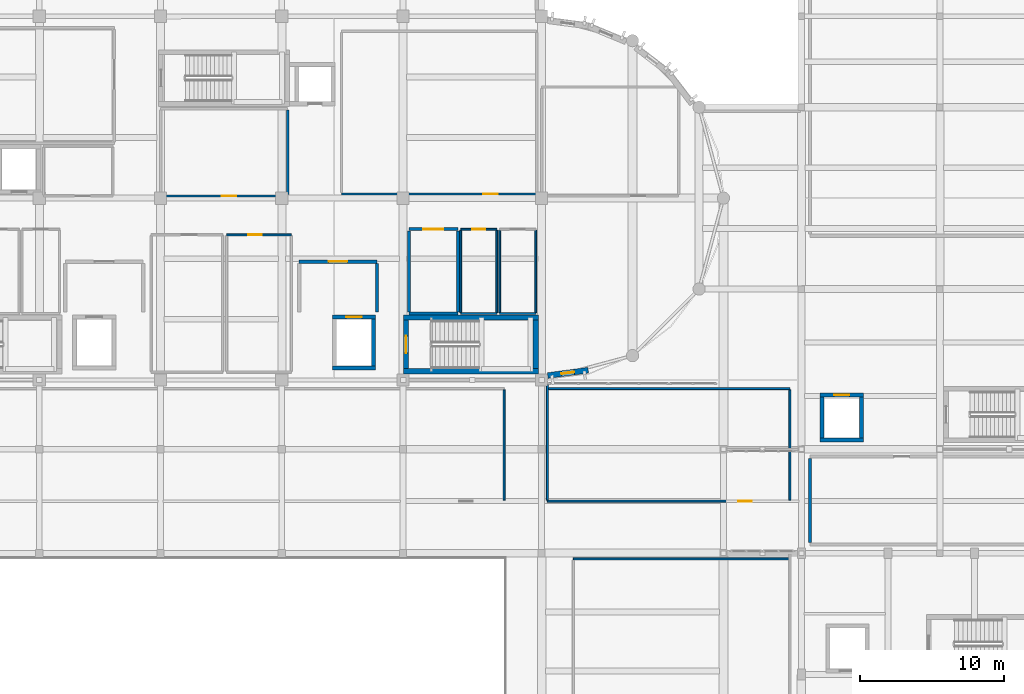
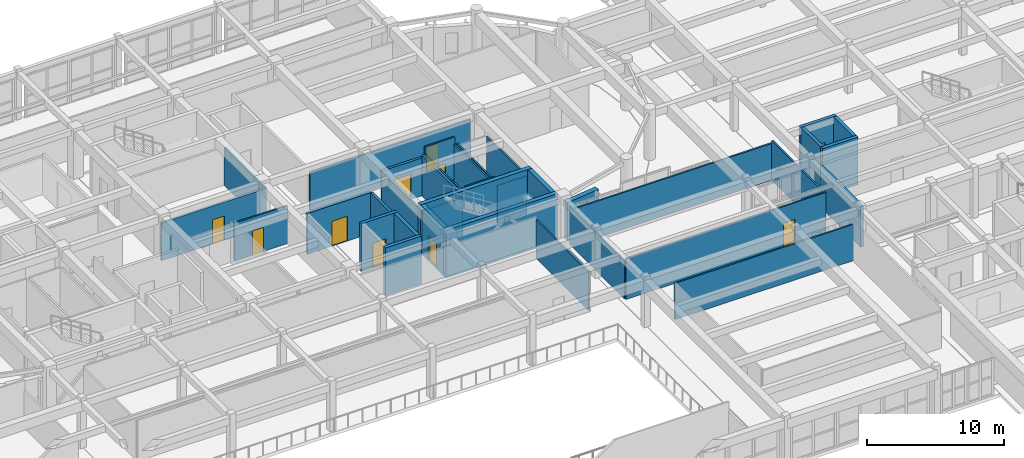
# One storey, part 70 of 92: 36 walls, 10 doors, 1 window, 11 openings.
"""IFC4 building model written with IfcOpenShell, lengths in metres."""

from ifc_helpers import new_model, si_unit, direction, frame, frame_2d, origin, place, context, subcontext, project, spatial, rectangle, extrude, material, layer, layer_set, type_object, element, fill, save


model = new_model("IFC4")

# Units and contexts
model_context = context("Model", 3, precision=1e-05, world=origin(), true_north=direction((0.0, 1.0)))
body_context = subcontext(model_context, "Body", "Model", "MODEL_VIEW")
ifc_project = project(units=[si_unit("LENGTHUNIT", "METRE"), si_unit("AREAUNIT", "SQUARE_METRE"), si_unit("VOLUMEUNIT", "CUBIC_METRE"), si_unit("PLANEANGLEUNIT", "RADIAN"), si_unit("MASSUNIT", "GRAM", prefix="KILO")], contexts=[model_context])

# Site, building, storey
site_placement = place(None, origin())
site = spatial("IfcSite", under=ifc_project, at=site_placement, CompositionType="ELEMENT")
building_placement = place(site_placement, origin())
building = spatial("IfcBuilding", under=site, at=building_placement, Name="Tarnavel Promenade Courthouse", CompositionType="ELEMENT")
storey_placement = place(building_placement, frame((0.0, 0.0, 5.39990234375)))
storey = spatial("IfcBuildingStorey", under=building, at=storey_placement, Name="L02", CompositionType="ELEMENT", Elevation=5.39990234375)

# Wall, opening, door
ifc_material_1 = material(Name="Acoustic Insulated Gypsum Stud Partition", Category="gypsum")
ifc_layer_1 = layer(ifc_material_1, 0.1650390625)
ifc_layer_set_1 = layer_set([ifc_layer_1], Name="Acoustic Insulated Gypsum Stud Partition")
wall_type_1 = type_object("IfcWallType", Name="Acoustic Insulated Gypsum Stud Partition WL-CHM-165 (165 mm)", PredefinedType="PARTITIONING", material=ifc_layer_set_1)
wall_1_placement = place(storey_placement, frame((84.39990234375, 91.949951171875, 0.0), z_axis=(0.0, 0.0, 1.0), x_axis=(-1.0, 0.0, 0.0)))
wall_1 = element("IfcWall", 1, at=wall_1_placement, inside=storey, type_object=wall_type_1, Name="L02 L02 Judicial Panel Deliberation Salon Partition 0379", PredefinedType="PARTITIONING", context=body_context, shape_type="SweptSolid", body=[
    extrude(rectangle(XDim=8.7998046875, YDim=0.1650390625, at=frame_2d((4.39990234375, 0.0))), origin(), (0.0, 0.0, 1.0), 3.3701171875),
])
opening_1_placement = place(wall_1_placement, frame((3.544921875, 0.0, 0.0)))
opening_1 = element("IfcOpeningElement", 2, at=opening_1_placement, cuts=wall_1, Name="Opening ID-03", PredefinedType="OPENING", context=body_context, shape_type="SweptSolid", body=[
    extrude(rectangle(XDim=1.0, YDim=2.14990234375, at=frame_2d((0.5, 1.074951171875))), frame((0.0, 0.092529296875, 0.0), z_axis=(0.0, -1.0, 0.0), x_axis=(1.0, 0.0, 0.0)), (0.0, 0.0, 1.0), 0.18505859375),
])
ifc_material_2 = material(Name="Acoustic Solid-Core Oak Jury Room Door")
door_type_1 = type_object("IfcDoorType", Name="Acoustic Solid-Core Oak Jury Room Door (DR-JRY-1000x2150)", OperationType="NOTDEFINED", PredefinedType="DOOR", material=ifc_material_2)
door_1_placement = place(opening_1_placement, origin())
door_1 = element("IfcDoor", 3, at=door_1_placement, inside=storey, type_object=door_type_1, Name="L02 L02 Judicial Panel Deliberation Salon Door 0109", OperationType="SINGLE_SWING_LEFT", OverallHeight=2.14990234375, OverallWidth=1.0, PredefinedType="DOOR", context=body_context, shape_type="SweptSolid", body=[
    extrude(rectangle(XDim=1.0, YDim=2.14990234375, at=frame_2d((0.5, 1.074951171875))), frame((0.0, 0.02490234375, 0.0), z_axis=(0.0, -1.0, 0.0), x_axis=(1.0, 0.0, 0.0)), (0.0, 0.0, 1.0), 0.050048828125),
])
fill(opening_1, door_1)

# Wall
wall_2_placement = place(storey_placement, frame((84.39990234375, 97.907470703125, 0.0), z_axis=(0.0, 0.0, 1.0), x_axis=(0.0, -1.0, 0.0)))
element("IfcWall", 4, at=wall_2_placement, inside=storey, type_object=wall_type_1, Name="L02 L02 Judicial Panel Deliberation Salon Partition 0381", PredefinedType="PARTITIONING", context=body_context, shape_type="SweptSolid", body=[
    extrude(rectangle(XDim=5.864990234375, YDim=0.1650390625, at=frame_2d((2.9326171875, 0.0))), origin(), (0.0, 0.0, 1.0), 3.3701171875),
])

# Wall, opening, door
wall_3_placement = place(storey_placement, frame((101.659912109375, 92.090087890625, 0.0), z_axis=(0.0, 0.0, 1.0), x_axis=(-1.0, 0.0, 0.0)))
wall_3 = element("IfcWall", 5, at=wall_3_placement, inside=storey, type_object=wall_type_1, Name="L02 Jury Room Central East Partition 0383", PredefinedType="PARTITIONING", context=body_context, shape_type="SweptSolid", body=[
    extrude(rectangle(XDim=13.52001953125, YDim=0.1650390625, at=frame_2d((6.760009765625, 0.0))), origin(), (0.0, 0.0, 1.0), 3.3701171875),
])
opening_2_placement = place(wall_3_placement, frame((2.714111328125, 0.0, 0.0)))
opening_2 = element("IfcOpeningElement", 6, at=opening_2_placement, cuts=wall_3, Name="Opening ID-03", PredefinedType="OPENING", context=body_context, shape_type="SweptSolid", body=[
    extrude(rectangle(XDim=1.0, YDim=2.14990234375, at=frame_2d((0.5, 1.074951171875))), frame((0.0, 0.092529296875, 0.0), z_axis=(0.0, -1.0, 0.0), x_axis=(1.0, 0.0, 0.0)), (0.0, 0.0, 1.0), 0.18505859375),
])
door_2_placement = place(opening_2_placement, origin())
door_2 = element("IfcDoor", 7, at=door_2_placement, inside=storey, type_object=door_type_1, Name="L02 Jury Room Central East Door 0110", OperationType="SINGLE_SWING_RIGHT", OverallHeight=2.14990234375, OverallWidth=1.0, PredefinedType="DOOR", context=body_context, shape_type="SweptSolid", body=[
    extrude(rectangle(XDim=1.0, YDim=2.14990234375, at=frame_2d((0.5, 1.074951171875))), frame((0.0, 0.02490234375, 0.0), z_axis=(0.0, -1.0, 0.0), x_axis=(1.0, 0.0, 0.0)), (0.0, 0.0, 1.0), 0.050048828125),
])
fill(opening_2, door_2)

ifc_material_3 = material(Name="Concrete C40/50", Category="concrete")
ifc_layer_2 = layer(ifc_material_3, 0.280029296875)
ifc_layer_set_2 = layer_set([ifc_layer_2], Name="Concrete C40/50")
wall_type_2 = type_object("IfcWallType", Name="Concrete C40/50 WL-SHR-280 (280 mm)", PredefinedType="SHEAR", material=ifc_layer_set_2)
wall_4_placement = place(storey_placement, frame((87.5, 83.56005859375, 0.0), z_axis=(0.0, 0.0, 1.0), x_axis=(1.0, 0.0, 0.0)))
wall_4 = element("IfcWall", 8, at=wall_4_placement, inside=storey, type_object=wall_type_2, Name="L02 L-FF2 Lift Shaft North Wall", PredefinedType="SHEAR", context=body_context, shape_type="SweptSolid", body=[
    extrude(rectangle(XDim=3.0, YDim=0.280029296875, at=frame_2d((1.5, 0.0))), origin(), (0.0, 0.0, 1.0), 4.239990234375),
])
opening_3_placement = place(wall_4_placement, frame((0.949951171875, 0.0, 0.0)))
opening_3 = element("IfcOpeningElement", 9, at=opening_3_placement, cuts=wall_4, Name="Opening LD-01", PredefinedType="OPENING", context=body_context, shape_type="SweptSolid", body=[
    extrude(rectangle(XDim=1.10009765625, YDim=2.199951171875, at=frame_2d((0.550048828125, 1.10009765625))), frame((0.0, 0.14990234375, 0.0), z_axis=(0.0, -1.0, 0.0), x_axis=(1.0, 0.0, 0.0)), (0.0, 0.0, 1.0), 0.300048828125),
])
ifc_material_4 = material(Name="Stainless Steel Firefighting Lift Landing Sliding Door", Category="steel")
door_type_2 = type_object("IfcDoorType", Name="Stainless Steel Firefighting Lift Landing Sliding Door (LD-FF-1100x2200)", OperationType="NOTDEFINED", PredefinedType="DOOR", material=ifc_material_4)
door_3_placement = place(opening_3_placement, origin())
door_3 = element("IfcDoor", 10, at=door_3_placement, inside=storey, type_object=door_type_2, Name="L02 L-FF2 Lift Sliding Landing Door", OperationType="DOUBLE_DOOR_SLIDING", OverallHeight=2.199951171875, OverallWidth=1.10009765625, PredefinedType="DOOR", context=body_context, shape_type="SweptSolid", body=[
    extrude(rectangle(XDim=1.10009765625, YDim=2.199951171875, at=frame_2d((0.550048828125, 1.10009765625))), frame((0.0, 0.02490234375, 0.0), z_axis=(0.0, -1.0, 0.0), x_axis=(1.0, 0.0, 0.0)), (0.0, 0.0, 1.0), 0.050048828125),
])
fill(opening_3, door_3)

# Walls
wall_5_placement = place(storey_placement, frame((90.5, 80.0400390625, 0.0), z_axis=(0.0, 0.0, 1.0), x_axis=(-1.0, 0.0, 0.0)))
element("IfcWall", 11, at=wall_5_placement, inside=storey, type_object=wall_type_2, Name="L02 L-FF2 Lift Shaft South Wall", PredefinedType="SHEAR", context=body_context, shape_type="SweptSolid", body=[
    extrude(rectangle(XDim=3.0, YDim=0.280029296875, at=frame_2d((1.5, 0.0))), origin(), (0.0, 0.0, 1.0), 4.239990234375),
])
wall_6_placement = place(storey_placement, frame((90.360107421875, 83.419921875, 0.0), z_axis=(0.0, 0.0, 1.0), x_axis=(0.0, -1.0, 0.0)))
element("IfcWall", 12, at=wall_6_placement, inside=storey, type_object=wall_type_2, Name="L02 L-FF2 Lift Shaft East Wall", PredefinedType="SHEAR", context=body_context, shape_type="SweptSolid", body=[
    extrude(rectangle(XDim=3.239990234375, YDim=0.280029296875, at=frame_2d((1.6201171875, 0.0))), origin(), (0.0, 0.0, 1.0), 4.239990234375),
])

# Wall, opening, door
wall_7_placement = place(storey_placement, frame((121.300048828125, 78.159912109375, 0.0), z_axis=(0.0, 0.0, 1.0), x_axis=(1.0, 0.0, 0.0)))
wall_7 = element("IfcWall", 13, at=wall_7_placement, inside=storey, type_object=wall_type_2, Name="L02 L-CUS1 Lift Shaft North Wall", PredefinedType="SHEAR", context=body_context, shape_type="SweptSolid", body=[
    extrude(rectangle(XDim=3.0, YDim=0.280029296875, at=frame_2d((1.5, 0.0))), origin(), (0.0, 0.0, 1.0), 4.239990234375),
])
opening_4_placement = place(wall_7_placement, frame((0.97509765625, 0.0, 0.0)))
opening_4 = element("IfcOpeningElement", 14, at=opening_4_placement, cuts=wall_7, Name="Opening LD-02", PredefinedType="OPENING", context=body_context, shape_type="SweptSolid", body=[
    extrude(rectangle(XDim=1.050048828125, YDim=2.199951171875, at=frame_2d((0.52490234375, 1.10009765625))), frame((0.0, 0.14990234375, 0.0), z_axis=(0.0, -1.0, 0.0), x_axis=(1.0, 0.0, 0.0)), (0.0, 0.0, 1.0), 0.300048828125),
])
ifc_material_5 = material(Name="Brushed Bronze Passenger Lift Landing Sliding Door")
door_type_3 = type_object("IfcDoorType", Name="Brushed Bronze Passenger Lift Landing Sliding Door (LD-PUB-1050x2200)", OperationType="NOTDEFINED", PredefinedType="DOOR", material=ifc_material_5)
door_4_placement = place(opening_4_placement, origin())
door_4 = element("IfcDoor", 15, at=door_4_placement, inside=storey, type_object=door_type_3, Name="L02 L-CUS1 Lift Sliding Landing Door", OperationType="DOUBLE_DOOR_SLIDING", OverallHeight=2.199951171875, OverallWidth=1.050048828125, PredefinedType="DOOR", context=body_context, shape_type="SweptSolid", body=[
    extrude(rectangle(XDim=1.050048828125, YDim=2.199951171875, at=frame_2d((0.52490234375, 1.10009765625))), frame((0.0, 0.02490234375, 0.0), z_axis=(0.0, -1.0, 0.0), x_axis=(1.0, 0.0, 0.0)), (0.0, 0.0, 1.0), 0.050048828125),
])
fill(opening_4, door_4)

# Walls
wall_8_placement = place(storey_placement, frame((124.300048828125, 75.0400390625, 0.0), z_axis=(0.0, 0.0, 1.0), x_axis=(-1.0, 0.0, 0.0)))
element("IfcWall", 16, at=wall_8_placement, inside=storey, type_object=wall_type_2, Name="L02 L-CUS1 Lift Shaft South Wall", PredefinedType="SHEAR", context=body_context, shape_type="SweptSolid", body=[
    extrude(rectangle(XDim=3.0, YDim=0.280029296875, at=frame_2d((1.5, 0.0))), origin(), (0.0, 0.0, 1.0), 4.239990234375),
])
for number, where, z_axis, x_axis, name in (
    (17, (121.43994140625, 75.179931640625, 0.0), (0.0, 0.0, 1.0), (0.0, 1.0, 0.0), "L02 L-CUS1 Lift Shaft West Wall"),
    (18, (124.159912109375, 78.02001953125, 0.0), (0.0, 0.0, 1.0), (0.0, -1.0, 0.0), "L02 L-CUS1 Lift Shaft East Wall"),
):
    element("IfcWall", number, at=place(storey_placement, frame(where, z_axis=z_axis, x_axis=x_axis)), inside=storey, type_object=wall_type_2, Name=name, PredefinedType="SHEAR", context=body_context, shape_type="SweptSolid", body=[
        extrude(rectangle(XDim=2.840087890625, YDim=0.280029296875, at=frame_2d((1.419921875, 0.0))), origin(), (0.0, 0.0, 1.0), 4.239990234375),
    ])
ifc_layer_3 = layer(ifc_material_3, 0.360107421875)
ifc_layer_set_3 = layer_set([ifc_layer_3], Name="Concrete C40/50")
wall_type_3 = type_object("IfcWallType", Name="Concrete C40/50 WL-SHR-360 (360 mm)", PredefinedType="SHEAR", material=ifc_layer_set_3)
for number, where, z_axis, x_axis, name in (
    (19, (92.419921875, 83.52001953125, 0.0), (0.0, 0.0, 1.0), (1.0, 0.0, 0.0), "L02 ST-02 Shear Core North Wall"),
    (20, (101.780029296875, 79.800048828125, 0.0), (0.0, 0.0, 1.0), (-1.0, 0.0, 0.0), "L02 ST-02 Shear Core South Wall"),
):
    element("IfcWall", number, at=place(storey_placement, frame(where, z_axis=z_axis, x_axis=x_axis)), inside=storey, type_object=wall_type_3, Name=name, PredefinedType="SHEAR", context=body_context, shape_type="SweptSolid", body=[
        extrude(rectangle(XDim=9.360107421875, YDim=0.360107421875, at=frame_2d((4.68017578125, 0.0))), origin(), (0.0, 0.0, 1.0), 4.239990234375),
    ])

# Wall, opening, door
wall_9_placement = place(storey_placement, frame((92.60009765625, 79.97998046875, 0.0), z_axis=(0.0, 0.0, 1.0), x_axis=(0.0, 1.0, 0.0)))
wall_9 = element("IfcWall", 21, at=wall_9_placement, inside=storey, type_object=wall_type_3, Name="L02 ST-02 Shear Core West Landing Wall", PredefinedType="SHEAR", context=body_context, shape_type="SweptSolid", body=[
    extrude(rectangle(XDim=3.360107421875, YDim=0.360107421875, at=frame_2d((1.68017578125, 0.0))), origin(), (0.0, 0.0, 1.0), 4.239990234375),
])
opening_5_placement = place(wall_9_placement, frame((1.080078125, 0.0, 0.0)))
opening_5 = element("IfcOpeningElement", 22, at=opening_5_placement, cuts=wall_9, Name="Opening FD-02", PredefinedType="OPENING", context=body_context, shape_type="SweptSolid", body=[
    extrude(rectangle(XDim=1.199951171875, YDim=2.199951171875, at=frame_2d((0.60009765625, 1.10009765625))), frame((0.0, 0.18994140625, 0.0), z_axis=(0.0, -1.0, 0.0), x_axis=(1.0, 0.0, 0.0)), (0.0, 0.0, 1.0), 0.380126953125),
])
ifc_material_6 = material(Name="Steel Fire-Rated Firefighting Stair Door", Category="steel")
door_type_4 = type_object("IfcDoorType", Name="Steel Fire-Rated Firefighting Stair Door (DR-ST-1200x2200)", OperationType="NOTDEFINED", PredefinedType="DOOR", material=ifc_material_6)
door_5_placement = place(opening_5_placement, origin())
door_5 = element("IfcDoor", 23, at=door_5_placement, inside=storey, type_object=door_type_4, Name="L02 ST-02 Protected Exit Stair Door", OperationType="SINGLE_SWING_RIGHT", OverallHeight=2.199951171875, OverallWidth=1.199951171875, PredefinedType="DOOR", context=body_context, shape_type="SweptSolid", body=[
    extrude(rectangle(XDim=1.199951171875, YDim=2.199951171875, at=frame_2d((0.60009765625, 1.10009765625))), frame((0.0, 0.02490234375, 0.0), z_axis=(0.0, -1.0, 0.0), x_axis=(1.0, 0.0, 0.0)), (0.0, 0.0, 1.0), 0.050048828125),
])
fill(opening_5, door_5)

# Wall
wall_10_placement = place(storey_placement, frame((101.60009765625, 83.340087890625, 0.0), z_axis=(0.0, 0.0, 1.0), x_axis=(0.0, -1.0, 0.0)))
element("IfcWall", 24, at=wall_10_placement, inside=storey, type_object=wall_type_3, Name="L02 ST-02 Shear Core East Wall", PredefinedType="SHEAR", context=body_context, shape_type="SweptSolid", body=[
    extrude(rectangle(XDim=3.360107421875, YDim=0.360107421875, at=frame_2d((1.68017578125, 0.0))), origin(), (0.0, 0.0, 1.0), 4.239990234375),
])

# Wall, opening, door
ifc_material_7 = material(Name="Concrete Masonry Fire Compartment Wall", Category="masonry")
ifc_layer_4 = layer(ifc_material_7, 0.205078125)
ifc_layer_set_4 = layer_set([ifc_layer_4], Name="Concrete Masonry Fire Compartment Wall")
wall_type_4 = type_object("IfcWallType", Name="Concrete Masonry Fire Compartment Wall WL-CMP-205 (205 mm)", PredefinedType="STANDARD", material=ifc_layer_set_4)
wall_11_placement = place(storey_placement, frame((92.800048828125, 89.64990234375, 0.0), z_axis=(0.0, 0.0, 1.0), x_axis=(1.0, 0.0, 0.0)))
wall_11 = element("IfcWall", 25, at=wall_11_placement, inside=storey, type_object=wall_type_4, Name="L02 L02 Court Transcript Records Room Partition 0274", PredefinedType="STANDARD", context=body_context, shape_type="SweptSolid", body=[
    extrude(rectangle(XDim=3.39990234375, YDim=0.205078125, at=frame_2d((1.699951171875, 0.0))), origin(), (0.0, 0.0, 1.0), 3.3701171875),
])
opening_6_placement = place(wall_11_placement, frame((1.0, 0.0, 0.0)))
opening_6 = element("IfcOpeningElement", 26, at=opening_6_placement, cuts=wall_11, Name="Opening FD-04", PredefinedType="OPENING", context=body_context, shape_type="SweptSolid", body=[
    extrude(rectangle(XDim=1.39990234375, YDim=2.25, at=frame_2d((0.699951171875, 1.125))), frame((0.0, 0.112548828125, 0.0), z_axis=(0.0, -1.0, 0.0), x_axis=(1.0, 0.0, 0.0)), (0.0, 0.0, 1.0), 0.22509765625),
])
ifc_material_8 = material(Name="Heavy Steel Plant Room Fire Door", Category="steel")
door_type_5 = type_object("IfcDoorType", Name="Heavy Steel Plant Room Fire Door (DR-PLT-1400x2250)", OperationType="NOTDEFINED", PredefinedType="DOOR", material=ifc_material_8)
door_6_placement = place(opening_6_placement, origin())
door_6 = element("IfcDoor", 27, at=door_6_placement, inside=storey, type_object=door_type_5, Name="L02 L02 Court Transcript Records Room Door 0078", OperationType="SINGLE_SWING_RIGHT", OverallHeight=2.25, OverallWidth=1.39990234375, PredefinedType="DOOR", context=body_context, shape_type="SweptSolid", body=[
    extrude(rectangle(XDim=1.39990234375, YDim=2.25, at=frame_2d((0.699951171875, 1.125))), frame((0.0, 0.02490234375, 0.0), z_axis=(0.0, -1.0, 0.0), x_axis=(1.0, 0.0, 0.0)), (0.0, 0.0, 1.0), 0.050048828125),
])
fill(opening_6, door_6)

# Walls
wall_12_placement = place(storey_placement, frame((96.199951171875, 83.800048828125, 0.0), z_axis=(0.0, 0.0, 1.0), x_axis=(-1.0, 0.0, 0.0)))
element("IfcWall", 28, at=wall_12_placement, inside=storey, type_object=wall_type_4, Name="L02 L02 Court Transcript Records Room Partition 0275", PredefinedType="STANDARD", context=body_context, shape_type="SweptSolid", body=[
    extrude(rectangle(XDim=3.39990234375, YDim=0.205078125, at=frame_2d((1.699951171875, 0.0))), origin(), (0.0, 0.0, 1.0), 3.3701171875),
])
wall_13_placement = place(storey_placement, frame((92.800048828125, 83.91259765625, 0.0), z_axis=(0.0, 0.0, 1.0), x_axis=(0.0, 1.0, 0.0)))
element("IfcWall", 29, at=wall_13_placement, inside=storey, type_object=wall_type_4, Name="L02 L02 Court Transcript Records Room Partition 0276", PredefinedType="STANDARD", context=body_context, shape_type="SweptSolid", body=[
    extrude(rectangle(XDim=5.625, YDim=0.205078125, at=frame_2d((2.8125, 0.0))), origin(), (0.0, 0.0, 1.0), 3.3701171875),
])
wall_14_placement = place(storey_placement, frame((96.199951171875, 89.53759765625, 0.0), z_axis=(0.0, 0.0, 1.0), x_axis=(0.0, -1.0, 0.0)))
element("IfcWall", 30, at=wall_14_placement, inside=storey, type_object=wall_type_4, Name="L02 L02 Court Transcript Records Room Partition 0277", PredefinedType="STANDARD", context=body_context, shape_type="SweptSolid", body=[
    extrude(rectangle(XDim=5.625, YDim=0.205078125, at=frame_2d((2.8125, 0.0))), origin(), (0.0, 0.0, 1.0), 3.6201171875),
])

# Wall, opening, door
ifc_layer_5 = layer(ifc_material_7, 0.22998046875)
ifc_layer_set_5 = layer_set([ifc_layer_5], Name="Concrete Masonry Fire Compartment Wall")
wall_type_5 = type_object("IfcWallType", Name="Concrete Masonry Fire Compartment Wall WL-CMP-230 (230 mm)", PredefinedType="STANDARD", material=ifc_layer_set_5)
wall_15_placement = place(storey_placement, frame((85.199951171875, 87.39990234375, 0.0), z_axis=(0.0, 0.0, 1.0), x_axis=(1.0, 0.0, 0.0)))
wall_15 = element("IfcWall", 31, at=wall_15_placement, inside=storey, type_object=wall_type_5, Name="L02 Firefighting Lobby L-FF2 Partition 0251", PredefinedType="STANDARD", context=body_context, shape_type="SweptSolid", body=[
    extrude(rectangle(XDim=5.400146484375, YDim=0.22998046875, at=frame_2d((2.7001953125, 0.0))), origin(), (0.0, 0.0, 1.0), 3.6201171875),
])
opening_7_placement = place(wall_15_placement, frame((2.050048828125, 0.0, 0.0)))
opening_7 = element("IfcOpeningElement", 32, at=opening_7_placement, cuts=wall_15, Name="Opening FD-03", PredefinedType="OPENING", context=body_context, shape_type="SweptSolid", body=[
    extrude(rectangle(XDim=1.300048828125, YDim=2.199951171875, at=frame_2d((0.64990234375, 1.10009765625))), frame((0.0, 0.125, 0.0), z_axis=(0.0, -1.0, 0.0), x_axis=(1.0, 0.0, 0.0)), (0.0, 0.0, 1.0), 0.25),
])
ifc_material_9 = material(Name="Smoke-Sealed Firefighting Lobby Fire Door")
door_type_6 = type_object("IfcDoorType", Name="Smoke-Sealed Firefighting Lobby Fire Door (DR-FFL-1300x2200)", OperationType="NOTDEFINED", PredefinedType="DOOR", material=ifc_material_9)
door_7_placement = place(opening_7_placement, origin())
door_7 = element("IfcDoor", 33, at=door_7_placement, inside=storey, type_object=door_type_6, Name="L02 Firefighting Lobby L-FF2 Door 0072", OperationType="SINGLE_SWING_RIGHT", OverallHeight=2.199951171875, OverallWidth=1.300048828125, PredefinedType="DOOR", context=body_context, shape_type="SweptSolid", body=[
    extrude(rectangle(XDim=1.300048828125, YDim=2.199951171875, at=frame_2d((0.64990234375, 1.10009765625))), frame((0.0, 0.02490234375, 0.0), z_axis=(0.0, -1.0, 0.0), x_axis=(1.0, 0.0, 0.0)), (0.0, 0.0, 1.0), 0.050048828125),
])
fill(opening_7, door_7)

# Walls
wall_16_placement = place(storey_placement, frame((90.60009765625, 87.27490234375, 0.0), z_axis=(0.0, 0.0, 1.0), x_axis=(0.0, -1.0, 0.0)))
element("IfcWall", 34, at=wall_16_placement, inside=storey, type_object=wall_type_5, Name="L02 Firefighting Lobby L-FF2 Partition 0253", PredefinedType="STANDARD", context=body_context, shape_type="SweptSolid", body=[
    extrude(rectangle(XDim=3.349853515625, YDim=0.22998046875, at=frame_2d((1.6748046875, 0.0))), origin(), (0.0, 0.0, 1.0), 3.6201171875),
])
wall_17_placement = place(storey_placement, frame((120.60009765625, 67.925048828125, 0.0), z_axis=(0.0, 0.0, 1.0), x_axis=(0.0, 1.0, 0.0)))
element("IfcWall", 35, at=wall_17_placement, inside=storey, type_object=wall_type_5, Name="L02 Custody Suite Juvenile Separated Holding Suite Partition 0363", PredefinedType="STANDARD", context=body_context, shape_type="SweptSolid", body=[
    extrude(rectangle(XDim=5.849853515625, YDim=0.22998046875, at=frame_2d((2.9248046875, 0.0))), origin(), (0.0, 0.0, 1.0), 3.670166015625),
])
ifc_material_10 = material(Name="Metal-Stud Acoustic Gypsum Partition", Category="gypsum")
ifc_layer_6 = layer(ifc_material_10, 0.135009765625)
ifc_layer_set_6 = layer_set([ifc_layer_6], Name="Metal-Stud Acoustic Gypsum Partition")
wall_type_6 = type_object("IfcWallType", Name="Metal-Stud Acoustic Gypsum Partition WL-OFF-135 (135 mm)", PredefinedType="PARTITIONING", material=ifc_layer_set_6)
wall_18_placement = place(storey_placement, frame((99.39990234375, 78.5224609375, 0.0), z_axis=(0.0, 0.0, 1.0), x_axis=(0.0, -1.0, 0.0)))
element("IfcWall", 36, at=wall_18_placement, inside=storey, type_object=wall_type_6, Name="L02 First Balcony Appellate Case Docket Registry Partition 0337", PredefinedType="PARTITIONING", context=body_context, shape_type="SweptSolid", body=[
    extrude(rectangle(XDim=7.64501953125, YDim=0.135009765625, at=frame_2d((3.822509765625, 0.0))), origin(), (0.0, 0.0, 1.0), 3.43017578125),
])
wall_19_placement = place(storey_placement, frame((104.199951171875, 66.800048828125, 0.0), z_axis=(0.0, 0.0, 1.0), x_axis=(1.0, 0.0, 0.0)))
element("IfcWall", 37, at=wall_19_placement, inside=storey, type_object=wall_type_6, Name="L02 First Balcony Judicial Press and Public Records Room Partition 0342", PredefinedType="PARTITIONING", context=body_context, shape_type="SweptSolid", body=[
    extrude(rectangle(XDim=15.0, YDim=0.135009765625, at=frame_2d((7.5, 0.0))), origin(), (0.0, 0.0, 1.0), 3.22998046875),
])
wall_20_placement = place(storey_placement, frame((102.39990234375, 78.60009765625, 0.0), z_axis=(0.0, 0.0, 1.0), x_axis=(1.0, 0.0, 0.0)))
element("IfcWall", 38, at=wall_20_placement, inside=storey, type_object=wall_type_6, Name="L02 First Balcony Court Administration Suite Partition 0346", PredefinedType="PARTITIONING", context=body_context, shape_type="SweptSolid", body=[
    extrude(rectangle(XDim=16.800048828125, YDim=0.135009765625, at=frame_2d((8.39990234375, 0.0))), origin(), (0.0, 0.0, 1.0), 3.27001953125),
])

# Wall, opening, door
wall_21_placement = place(storey_placement, frame((119.199951171875, 70.800048828125, 0.0), z_axis=(0.0, 0.0, 1.0), x_axis=(-1.0, 0.0, 0.0)))
wall_21 = element("IfcWall", 39, at=wall_21_placement, inside=storey, type_object=wall_type_6, Name="L02 First Balcony Court Administration Suite Partition 0347", PredefinedType="PARTITIONING", context=body_context, shape_type="SweptSolid", body=[
    extrude(rectangle(XDim=16.800048828125, YDim=0.135009765625, at=frame_2d((8.39990234375, 0.0))), origin(), (0.0, 0.0, 1.0), 3.630126953125),
])
opening_8_placement = place(wall_21_placement, frame((2.62255859375, 0.0, 0.0)))
opening_8 = element("IfcOpeningElement", 40, at=opening_8_placement, cuts=wall_21, Name="Opening ID-06", PredefinedType="OPENING", context=body_context, shape_type="SweptSolid", body=[
    extrude(rectangle(XDim=0.949951171875, YDim=2.14990234375, at=frame_2d((0.47509765625, 1.074951171875))), frame((0.0, 0.077392578125, 0.0), z_axis=(0.0, -1.0, 0.0), x_axis=(1.0, 0.0, 0.0)), (0.0, 0.0, 1.0), 0.155029296875),
])
ifc_material_11 = material(Name="Acoustic Timber Veneer Office Door", Category="wood")
door_type_7 = type_object("IfcDoorType", Name="Acoustic Timber Veneer Office Door (DR-OFF-0950x2150)", OperationType="NOTDEFINED", PredefinedType="DOOR", material=ifc_material_11)
door_8_placement = place(opening_8_placement, origin())
door_8 = element("IfcDoor", 41, at=door_8_placement, inside=storey, type_object=door_type_7, Name="L02 First Balcony Court Administration Suite Door 0099", OperationType="SINGLE_SWING_LEFT", OverallHeight=2.14990234375, OverallWidth=0.949951171875, PredefinedType="DOOR", context=body_context, shape_type="SweptSolid", body=[
    extrude(rectangle(XDim=0.949951171875, YDim=2.14990234375, at=frame_2d((0.47509765625, 1.074951171875))), frame((0.0, 0.02490234375, 0.0), z_axis=(0.0, -1.0, 0.0), x_axis=(1.0, 0.0, 0.0)), (0.0, 0.0, 1.0), 0.050048828125),
])
fill(opening_8, door_8)

# Walls
wall_22_placement = place(storey_placement, frame((102.39990234375, 70.87744140625, 0.0), z_axis=(0.0, 0.0, 1.0), x_axis=(0.0, 1.0, 0.0)))
element("IfcWall", 42, at=wall_22_placement, inside=storey, type_object=wall_type_6, Name="L02 First Balcony Court Administration Suite Partition 0348", PredefinedType="PARTITIONING", context=body_context, shape_type="SweptSolid", body=[
    extrude(rectangle(XDim=7.982666015625, YDim=0.135009765625, at=frame_2d((3.9912109375, 0.0))), origin(), (0.0, 0.0, 1.0), 3.330078125),
])
wall_23_placement = place(storey_placement, frame((119.199951171875, 78.5224609375, 0.0), z_axis=(0.0, 0.0, 1.0), x_axis=(0.0, -1.0, 0.0)))
element("IfcWall", 43, at=wall_23_placement, inside=storey, type_object=wall_type_6, Name="L02 First Balcony Court Administration Suite Partition 0349", PredefinedType="PARTITIONING", context=body_context, shape_type="SweptSolid", body=[
    extrude(rectangle(XDim=7.64501953125, YDim=0.135009765625, at=frame_2d((3.822509765625, 0.0))), origin(), (0.0, 0.0, 1.0), 3.530029296875),
])

# Wall, opening, door
wall_24_placement = place(storey_placement, frame((80.177978515625, 89.260009765625, 0.0), z_axis=(0.0, 0.0, 1.0), x_axis=(1.0, 0.0, 0.0)))
wall_24 = element("IfcWall", 44, at=wall_24_placement, inside=storey, type_object=wall_type_6, Name="L02 Witness Waiting Room Central Partition 0390", PredefinedType="PARTITIONING", context=body_context, shape_type="SweptSolid", body=[
    extrude(rectangle(XDim=4.48193359375, YDim=0.135009765625, at=frame_2d((2.240966796875, 0.0))), origin(), (0.0, 0.0, 1.0), 3.3701171875),
])
opening_9_placement = place(wall_24_placement, frame((1.48291015625, 0.0, 0.0)))
opening_9 = element("IfcOpeningElement", 45, at=opening_9_placement, cuts=wall_24, Name="Opening ID-06", PredefinedType="OPENING", context=body_context, shape_type="SweptSolid", body=[
    extrude(rectangle(XDim=0.949951171875, YDim=2.14990234375, at=frame_2d((0.47509765625, 1.074951171875))), frame((0.0, 0.077392578125, 0.0), z_axis=(0.0, -1.0, 0.0), x_axis=(1.0, 0.0, 0.0)), (0.0, 0.0, 1.0), 0.155029296875),
])
door_9_placement = place(opening_9_placement, origin())
door_9 = element("IfcDoor", 46, at=door_9_placement, inside=storey, type_object=door_type_7, Name="L02 Witness Waiting Room Central Door 0112", OperationType="SINGLE_SWING_RIGHT", OverallHeight=2.14990234375, OverallWidth=0.949951171875, PredefinedType="DOOR", context=body_context, shape_type="SweptSolid", body=[
    extrude(rectangle(XDim=0.949951171875, YDim=2.14990234375, at=frame_2d((0.47509765625, 1.074951171875))), frame((0.0, 0.02490234375, 0.0), z_axis=(0.0, -1.0, 0.0), x_axis=(1.0, 0.0, 0.0)), (0.0, 0.0, 1.0), 0.050048828125),
])
fill(opening_9, door_9)

ifc_material_12 = material(Name="Moisture-Resistant Tile-Backed Stud Partition", Category="gypsum")
ifc_layer_7 = layer(ifc_material_12, 0.125)
ifc_layer_set_7 = layer_set([ifc_layer_7], Name="Moisture-Resistant Tile-Backed Stud Partition")
wall_type_7 = type_object("IfcWallType", Name="Moisture-Resistant Tile-Backed Stud Partition WL-WET-125 (125 mm)", PredefinedType="PARTITIONING", material=ifc_layer_set_7)
wall_25_placement = place(storey_placement, frame((96.39990234375, 89.64990234375, 0.0), z_axis=(0.0, 0.0, 1.0), x_axis=(1.0, 0.0, 0.0)))
wall_25 = element("IfcWall", 47, at=wall_25_placement, inside=storey, type_object=wall_type_7, Name="L02 Staff WC Partition 0262", PredefinedType="PARTITIONING", context=body_context, shape_type="SweptSolid", body=[
    extrude(rectangle(XDim=2.5, YDim=0.125, at=frame_2d((1.25, 0.0))), origin(), (0.0, 0.0, 1.0), 4.22509765625),
])
opening_10_placement = place(wall_25_placement, frame((0.800048828125, 0.0, 0.0)))
opening_10 = element("IfcOpeningElement", 48, at=opening_10_placement, cuts=wall_25, Name="Opening ID-08", PredefinedType="OPENING", context=body_context, shape_type="SweptSolid", body=[
    extrude(rectangle(XDim=0.89990234375, YDim=2.10009765625, at=frame_2d((0.449951171875, 1.050048828125))), frame((0.0, 0.072509765625, 0.0), z_axis=(0.0, -1.0, 0.0), x_axis=(1.0, 0.0, 0.0)), (0.0, 0.0, 1.0), 0.14501953125),
])
ifc_material_13 = material(Name="Moisture-Resistant Laminate Restroom Door")
door_type_8 = type_object("IfcDoorType", Name="Moisture-Resistant Laminate Restroom Door (DR-WC-0900x2100)", OperationType="NOTDEFINED", PredefinedType="DOOR", material=ifc_material_13)
door_10_placement = place(opening_10_placement, origin())
door_10 = element("IfcDoor", 49, at=door_10_placement, inside=storey, type_object=door_type_8, Name="L02 Staff WC Door 0075", OperationType="SINGLE_SWING_LEFT", OverallHeight=2.10009765625, OverallWidth=0.89990234375, PredefinedType="DOOR", context=body_context, shape_type="SweptSolid", body=[
    extrude(rectangle(XDim=0.89990234375, YDim=2.10009765625, at=frame_2d((0.449951171875, 1.050048828125))), frame((0.0, 0.02490234375, 0.0), z_axis=(0.0, -1.0, 0.0), x_axis=(1.0, 0.0, 0.0)), (0.0, 0.0, 1.0), 0.050048828125),
])
fill(opening_10, door_10)

# Walls
wall_26_placement = place(storey_placement, frame((98.89990234375, 83.800048828125, 0.0), z_axis=(0.0, 0.0, 1.0), x_axis=(-1.0, 0.0, 0.0)))
element("IfcWall", 50, at=wall_26_placement, inside=storey, type_object=wall_type_7, Name="L02 Staff WC Partition 0263", PredefinedType="PARTITIONING", context=body_context, shape_type="SweptSolid", body=[
    extrude(rectangle(XDim=2.5, YDim=0.125, at=frame_2d((1.25, 0.0))), origin(), (0.0, 0.0, 1.0), 4.22509765625),
])
for number, where, z_axis, x_axis, name in (
    (51, (96.39990234375, 83.87255859375, 0.0), (0.0, 0.0, 1.0), (0.0, 1.0, 0.0), "L02 Staff WC Partition 0264"),
    (52, (98.89990234375, 89.577392578125, 0.0), (0.0, 0.0, 1.0), (0.0, -1.0, 0.0), "L02 Staff WC Partition 0265"),
):
    element("IfcWall", number, at=place(storey_placement, frame(where, z_axis=z_axis, x_axis=x_axis)), inside=storey, type_object=wall_type_7, Name=name, PredefinedType="PARTITIONING", context=body_context, shape_type="SweptSolid", body=[
        extrude(rectangle(XDim=5.704833984375, YDim=0.125, at=frame_2d((2.8525390625, 0.0))), origin(), (0.0, 0.0, 1.0), 3.6201171875),
    ])
wall_27_placement = place(storey_placement, frame((101.60009765625, 83.800048828125, 0.0), z_axis=(0.0, 0.0, 1.0), x_axis=(-1.0, 0.0, 0.0)))
element("IfcWall", 53, at=wall_27_placement, inside=storey, type_object=wall_type_7, Name="L02 Accessible Staff WC Partition 0267", PredefinedType="PARTITIONING", context=body_context, shape_type="SweptSolid", body=[
    extrude(rectangle(XDim=2.5, YDim=0.125, at=frame_2d((1.25, 0.0))), origin(), (0.0, 0.0, 1.0), 3.3701171875),
])
wall_28_placement = place(storey_placement, frame((99.10009765625, 83.87255859375, 0.0), z_axis=(0.0, 0.0, 1.0), x_axis=(0.0, 1.0, 0.0)))
element("IfcWall", 54, at=wall_28_placement, inside=storey, type_object=wall_type_7, Name="L02 Accessible Staff WC Partition 0268", PredefinedType="PARTITIONING", context=body_context, shape_type="SweptSolid", body=[
    extrude(rectangle(XDim=5.704833984375, YDim=0.125, at=frame_2d((2.8525390625, 0.0))), origin(), (0.0, 0.0, 1.0), 3.6201171875),
])
wall_29_placement = place(storey_placement, frame((101.60009765625, 89.577392578125, 0.0), z_axis=(0.0, 0.0, 1.0), x_axis=(0.0, -1.0, 0.0)))
element("IfcWall", 55, at=wall_29_placement, inside=storey, type_object=wall_type_7, Name="L02 Accessible Staff WC Partition 0269", PredefinedType="PARTITIONING", context=body_context, shape_type="SweptSolid", body=[
    extrude(rectangle(XDim=5.704833984375, YDim=0.125, at=frame_2d((2.8525390625, 0.0))), origin(), (0.0, 0.0, 1.0), 3.3701171875),
])

# Wall, opening, window
ifc_material_14 = material(Name="Patinated Copper-Bronze Insulated Drum Wall Assembly", Category="masonry")
ifc_layer_8 = layer(ifc_material_14, 0.39501953125)
ifc_layer_set_8 = layer_set([ifc_layer_8], Name="Patinated Copper-Bronze Insulated Drum Wall Assembly")
wall_type_8 = type_object("IfcWallType", Name="Patinated Copper-Bronze Insulated Drum Wall Assembly WL-DRUM-395 (395 mm)", PredefinedType="ELEMENTEDWALL", material=ifc_layer_set_8)
wall_30_placement = place(storey_placement, frame((102.428466796875, 79.508544921875, 0.0), z_axis=(0.0, 0.0, 1.0), x_axis=(0.991443994311, 0.130532778046, 0.0)))
wall_30 = element("IfcWall", 56, at=wall_30_placement, inside=storey, type_object=wall_type_8, Name="L02 E Copper Drum Chord Wall 01 0052", PredefinedType="ELEMENTEDWALL", context=body_context, shape_type="SweptSolid", body=[
    extrude(rectangle(XDim=2.82421875, YDim=0.39501953125, at=frame_2d((1.412109375, 0.0))), origin(), (0.0, 0.0, 1.0), 3.3701171875),
])
opening_11_placement = place(wall_30_placement, frame((0.962158203125, 0.0, 0.85009765625)))
opening_11 = element("IfcOpeningElement", 57, at=opening_11_placement, cuts=wall_30, Name="Opening W-08", PredefinedType="OPENING", context=body_context, shape_type="SweptSolid", body=[
    extrude(rectangle(XDim=0.89990234375, YDim=1.85009765625, at=frame_2d((0.449951171875, 0.925048828125))), frame((0.0, 0.20751953125, 0.0), z_axis=(0.0, -1.0, 0.0), x_axis=(1.0, 0.0, 0.0)), (0.0, 0.0, 1.0), 0.4150390625),
])
ifc_material_15 = material(Name="Triple Low-E Glazed Bronze-Clad Window Assembly")
window_type = type_object("IfcWindowType", Name="Triple-Glazed Bronze-Clad Timber-Aluminium WIN-DRM-0900x1850", PartitioningType="SINGLE_PANEL", PredefinedType="WINDOW", material=ifc_material_15)
window_placement = place(opening_11_placement, origin())
window = element("IfcWindow", 58, at=window_placement, inside=storey, type_object=window_type, Name="L02 Exterior Window 0028", OverallHeight=1.85009765625, OverallWidth=0.89990234375, PartitioningType="SINGLE_PANEL", PredefinedType="WINDOW", context=body_context, shape_type="SweptSolid", body=[
    extrude(rectangle(XDim=0.89990234375, YDim=1.85009765625, at=frame_2d((0.449951171875, 0.925048828125))), frame((0.0, 0.030029296875, 0.0), z_axis=(0.0, -1.0, 0.0), x_axis=(1.0, 0.0, 0.0)), (0.0, 0.0, 1.0), 0.06005859375),
])
fill(opening_11, window)

save(model, "model.ifc")
